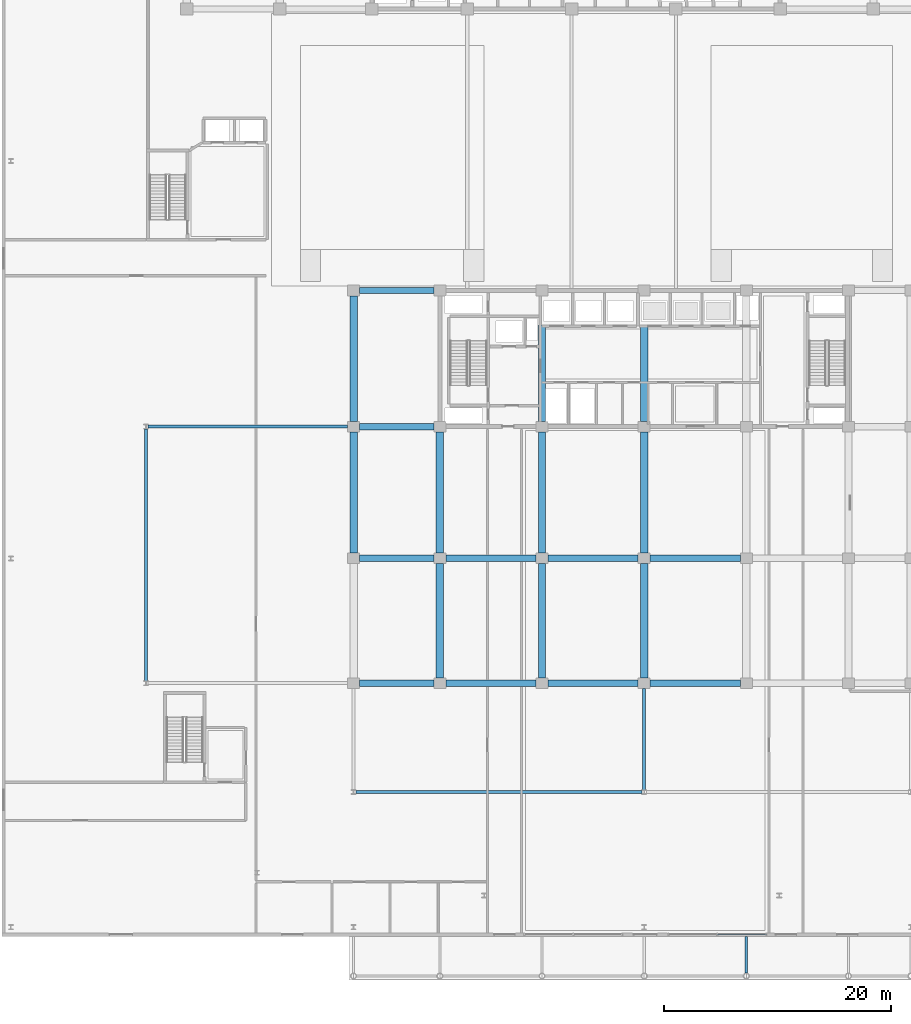
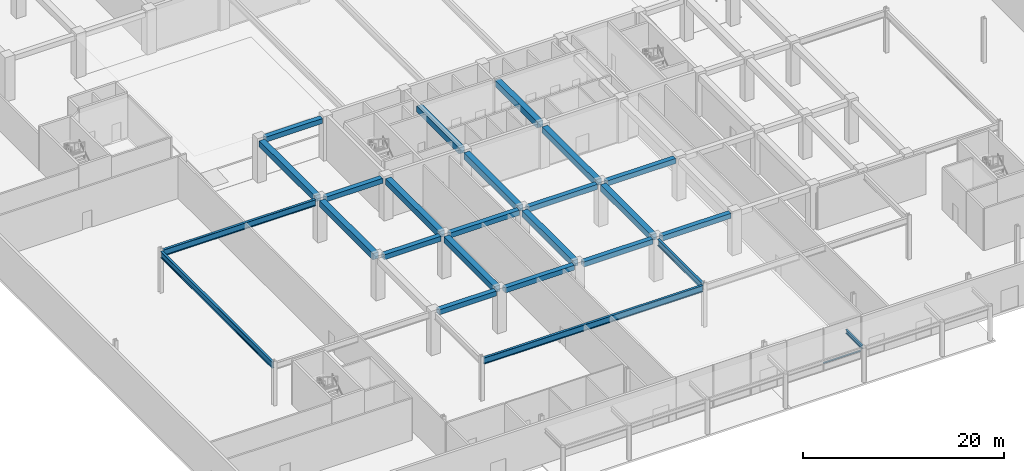
# One storey, part 13 of 46: 25 beams, 1 member, 1 element without a shape of its own.
"""IFC4 building model written with IfcOpenShell, lengths in metres."""

from ifc_helpers import new_model, si_unit, direction, frame, origin, origin_2d, place, context, subcontext, project, spatial, rectangle, hollow_rectangle, i_section, extrude, material, layer, layer_set, material_profile, profile_set, type_object, element, aggregate, save


model = new_model("IFC4")

# Units and contexts
model_context = context("Model", 3, precision=1e-05, world=origin(), true_north=direction((0.0, 1.0)))
body_context = subcontext(model_context, "Body", "Model", "MODEL_VIEW")
ifc_project = project(units=[si_unit("LENGTHUNIT", "METRE"), si_unit("AREAUNIT", "SQUARE_METRE"), si_unit("VOLUMEUNIT", "CUBIC_METRE"), si_unit("PLANEANGLEUNIT", "RADIAN"), si_unit("MASSUNIT", "GRAM", prefix="KILO")], contexts=[model_context])

# Site, building, storey
site_placement = place(None, origin())
site = spatial("IfcSite", under=ifc_project, at=site_placement, CompositionType="ELEMENT")
building_placement = place(site_placement, origin())
building = spatial("IfcBuilding", under=site, at=building_placement, Name="Korimba Cascade Residences", CompositionType="ELEMENT")
storey_placement = place(building_placement, origin())
storey = spatial("IfcBuildingStorey", under=building, at=storey_placement, Name="L00", CompositionType="ELEMENT", Elevation=0.0)

# Beams
ifc_material_1 = material(Name="Concrete C50/60", Category="concrete")
ifc_material_profile_1 = material_profile(ifc_material_1, rectangle(XDim=0.550048828125, YDim=0.60009765625, at=origin_2d()), Name="Concrete C50/60")
ifc_profile_set_1 = profile_set([ifc_material_profile_1], Name="Concrete C50/60")
beam_type_1 = type_object("IfcBeamType", Name="BM-RC-B600", PredefinedType="BEAM", material=ifc_profile_set_1)
beam_1_placement = place(storey_placement, frame((75.02490234375, -4.199951171875, 4.800048828125), z_axis=(1.0, 0.0, 0.0), x_axis=(0.0, 1.0, 0.0)))
element("IfcBeam", 1, at=beam_1_placement, inside=storey, type_object=beam_type_1, Name="L00 T2 E-W Girder Y1 Bay 1", PredefinedType="BEAM", context=body_context, shape_type="SweptSolid", body=[
    extrude(rectangle(XDim=0.550048828125, YDim=0.60009765625, at=origin_2d()), origin(), (0.0, 0.0, 1.0), 6.550048828125),
])
for number, where, z_axis, x_axis, name in (
    (2, (82.625, -4.199951171875, 4.800048828125), (1.0, 0.0, 0.0), (0.0, 1.0, 0.0), "L00 T2 E-W Girder Y1 Bay 2"),
    (3, (91.625, -4.199951171875, 4.800048828125), (1.0, 0.0, 0.0), (0.0, 1.0, 0.0), "L00 T2 E-W Girder Y1 Bay 3"),
    (4, (100.625, -4.199951171875, 4.800048828125), (1.0, 0.0, 0.0), (0.0, 1.0, 0.0), "L00 T2 E-W Girder Y1 Bay 4"),
):
    element("IfcBeam", number, at=place(storey_placement, frame(where, z_axis=z_axis, x_axis=x_axis)), inside=storey, type_object=beam_type_1, Name=name, PredefinedType="BEAM", context=body_context, shape_type="SweptSolid", body=[
        extrude(rectangle(XDim=0.550048828125, YDim=0.60009765625, at=origin_2d()), origin(), (0.0, 0.0, 1.0), 7.949951171875),
    ])
beam_2_placement = place(storey_placement, frame((75.02490234375, 6.800048828125, 4.800048828125), z_axis=(1.0, 0.0, 0.0), x_axis=(0.0, 1.0, 0.0)))
element("IfcBeam", 5, at=beam_2_placement, inside=storey, type_object=beam_type_1, Name="L00 T2 E-W Girder Y2 Bay 1", PredefinedType="BEAM", context=body_context, shape_type="SweptSolid", body=[
    extrude(rectangle(XDim=0.550048828125, YDim=0.60009765625, at=origin_2d()), origin(), (0.0, 0.0, 1.0), 6.550048828125),
])
for number, where, z_axis, x_axis, name in (
    (6, (82.625, 6.800048828125, 4.800048828125), (1.0, 0.0, 0.0), (0.0, 1.0, 0.0), "L00 T2 E-W Girder Y2 Bay 2"),
    (7, (91.625, 6.800048828125, 4.800048828125), (1.0, 0.0, 0.0), (0.0, 1.0, 0.0), "L00 T2 E-W Girder Y2 Bay 3"),
    (8, (100.625, 6.800048828125, 4.800048828125), (1.0, 0.0, 0.0), (0.0, 1.0, 0.0), "L00 T2 E-W Girder Y2 Bay 4"),
):
    element("IfcBeam", number, at=place(storey_placement, frame(where, z_axis=z_axis, x_axis=x_axis)), inside=storey, type_object=beam_type_1, Name=name, PredefinedType="BEAM", context=body_context, shape_type="SweptSolid", body=[
        extrude(rectangle(XDim=0.550048828125, YDim=0.60009765625, at=origin_2d()), origin(), (0.0, 0.0, 1.0), 7.949951171875),
    ])
for number, where, z_axis, x_axis, name in (
    (9, (75.02490234375, 18.39990234375, 4.800048828125), (1.0, 0.0, 0.0), (0.0, 1.0, 0.0), "L00 T2 E-W Girder Y3 Bay 1"),
    (10, (75.02490234375, 30.39990234375, 4.800048828125), (1.0, 0.0, 0.0), (0.0, 1.0, 0.0), "L00 T2 E-W Girder Y4 Bay 1"),
):
    element("IfcBeam", number, at=place(storey_placement, frame(where, z_axis=z_axis, x_axis=x_axis)), inside=storey, type_object=beam_type_1, Name=name, PredefinedType="BEAM", context=body_context, shape_type="SweptSolid", body=[
        extrude(rectangle(XDim=0.550048828125, YDim=0.60009765625, at=origin_2d()), origin(), (0.0, 0.0, 1.0), 6.550048828125),
    ])
ifc_material_profile_2 = material_profile(ifc_material_1, rectangle(XDim=0.64990234375, YDim=0.75, at=origin_2d()), Name="Concrete C50/60")
ifc_profile_set_2 = profile_set([ifc_material_profile_2], Name="Concrete C50/60")
beam_type_2 = type_object("IfcBeamType", Name="BM-RC-G750", PredefinedType="BEAM", material=ifc_profile_set_2)
beam_3_placement = place(storey_placement, frame((74.5, 7.27490234375, 4.72509765625), z_axis=(0.0, 1.0, 0.0), x_axis=(-1.0, 0.0, 0.0)))
element("IfcBeam", 11, at=beam_3_placement, inside=storey, type_object=beam_type_2, Name="L00 T2 N-S Girder X1 Seg 2", PredefinedType="BEAM", context=body_context, shape_type="SweptSolid", body=[
    extrude(rectangle(XDim=0.64990234375, YDim=0.75, at=origin_2d()), origin(), (0.0, 0.0, 1.0), 10.650146484375),
])
beam_4_placement = place(storey_placement, frame((74.5, 18.875, 4.72509765625), z_axis=(0.0, 1.0, 0.0), x_axis=(-1.0, 0.0, 0.0)))
element("IfcBeam", 12, at=beam_4_placement, inside=storey, type_object=beam_type_2, Name="L00 T2 N-S Girder X1 Seg 3", PredefinedType="BEAM", context=body_context, shape_type="SweptSolid", body=[
    extrude(rectangle(XDim=0.64990234375, YDim=0.75, at=origin_2d()), origin(), (0.0, 0.0, 1.0), 11.050048828125),
])
beam_5_placement = place(storey_placement, frame((82.10009765625, -3.72509765625, 4.72509765625), z_axis=(0.0, 1.0, 0.0), x_axis=(-1.0, 0.0, 0.0)))
element("IfcBeam", 13, at=beam_5_placement, inside=storey, type_object=beam_type_2, Name="L00 T2 N-S Girder X2 Seg 1", PredefinedType="BEAM", context=body_context, shape_type="SweptSolid", body=[
    extrude(rectangle(XDim=0.64990234375, YDim=0.75, at=origin_2d()), origin(), (0.0, 0.0, 1.0), 10.050048828125),
])
beam_6_placement = place(storey_placement, frame((82.10009765625, 7.27490234375, 4.72509765625), z_axis=(0.0, 1.0, 0.0), x_axis=(-1.0, 0.0, 0.0)))
element("IfcBeam", 14, at=beam_6_placement, inside=storey, type_object=beam_type_2, Name="L00 T2 N-S Girder X2 Seg 2", PredefinedType="BEAM", context=body_context, shape_type="SweptSolid", body=[
    extrude(rectangle(XDim=0.64990234375, YDim=0.75, at=origin_2d()), origin(), (0.0, 0.0, 1.0), 10.650146484375),
])
beam_7_placement = place(storey_placement, frame((91.10009765625, -3.72509765625, 4.72509765625), z_axis=(0.0, 1.0, 0.0), x_axis=(-1.0, 0.0, 0.0)))
element("IfcBeam", 15, at=beam_7_placement, inside=storey, type_object=beam_type_2, Name="L00 T2 N-S Girder X3 Seg 1", PredefinedType="BEAM", context=body_context, shape_type="SweptSolid", body=[
    extrude(rectangle(XDim=0.64990234375, YDim=0.75, at=origin_2d()), origin(), (0.0, 0.0, 1.0), 10.050048828125),
])
beam_8_placement = place(storey_placement, frame((91.10009765625, 7.27490234375, 4.72509765625), z_axis=(0.0, 1.0, 0.0), x_axis=(-1.0, 0.0, 0.0)))
element("IfcBeam", 16, at=beam_8_placement, inside=storey, type_object=beam_type_2, Name="L00 T2 N-S Girder X3 Seg 2", PredefinedType="BEAM", context=body_context, shape_type="SweptSolid", body=[
    extrude(rectangle(XDim=0.64990234375, YDim=0.75, at=origin_2d()), origin(), (0.0, 0.0, 1.0), 10.650146484375),
])
beam_9_placement = place(storey_placement, frame((91.10009765625, 18.875, 4.72509765625), z_axis=(0.0, 1.0, 0.0), x_axis=(-1.0, 0.0, 0.0)))
element("IfcBeam", 17, at=beam_9_placement, inside=storey, type_object=beam_type_2, Name="L00 T2 N-S Girder X3 Seg 3", PredefinedType="BEAM", context=body_context, shape_type="SweptSolid", body=[
    extrude(rectangle(XDim=0.64990234375, YDim=0.75, at=origin_2d()), origin(), (0.0, 0.0, 1.0), 8.465087890625),
])
beam_10_placement = place(storey_placement, frame((100.10009765625, -3.72509765625, 4.72509765625), z_axis=(0.0, 1.0, 0.0), x_axis=(-1.0, 0.0, 0.0)))
element("IfcBeam", 18, at=beam_10_placement, inside=storey, type_object=beam_type_2, Name="L00 T2 N-S Girder X4 Seg 1", PredefinedType="BEAM", context=body_context, shape_type="SweptSolid", body=[
    extrude(rectangle(XDim=0.64990234375, YDim=0.75, at=origin_2d()), origin(), (0.0, 0.0, 1.0), 10.050048828125),
])
beam_11_placement = place(storey_placement, frame((100.10009765625, 7.27490234375, 4.72509765625), z_axis=(0.0, 1.0, 0.0), x_axis=(-1.0, 0.0, 0.0)))
element("IfcBeam", 19, at=beam_11_placement, inside=storey, type_object=beam_type_2, Name="L00 T2 N-S Girder X4 Seg 2", PredefinedType="BEAM", context=body_context, shape_type="SweptSolid", body=[
    extrude(rectangle(XDim=0.64990234375, YDim=0.75, at=origin_2d()), origin(), (0.0, 0.0, 1.0), 10.650146484375),
])
beam_12_placement = place(storey_placement, frame((100.10009765625, 18.875, 4.72509765625), z_axis=(0.0, 1.0, 0.0), x_axis=(-1.0, 0.0, 0.0)))
element("IfcBeam", 20, at=beam_12_placement, inside=storey, type_object=beam_type_2, Name="L00 T2 N-S Girder X4 Seg 3", PredefinedType="BEAM", context=body_context, shape_type="SweptSolid", body=[
    extrude(rectangle(XDim=0.64990234375, YDim=0.75, at=origin_2d()), origin(), (0.0, 0.0, 1.0), 8.465087890625),
])
ifc_material_2 = material(Name="Steel S355", Category="steel")
ifc_material_profile_3 = material_profile(ifc_material_2, i_section(OverallWidth=0.19140625, OverallDepth=0.4599609375, WebThickness=0.010009765625, FlangeThickness=0.01611328125, FilletRadius=0.01025390625, at=origin_2d()), Name="Steel S355")
ifc_profile_set_3 = profile_set([ifc_material_profile_3], Name="Steel S355")
beam_type_3 = type_object("IfcBeamType", Name="BM-STL-UB457", PredefinedType="JOIST", material=ifc_profile_set_3)
beam_13_placement = place(storey_placement, frame((109.10009765625, -29.739990234375, 3.969970703125), z_axis=(0.0, 1.0, 0.0), x_axis=(-1.0, 0.0, 0.0)))
element("IfcBeam", 21, at=beam_13_placement, inside=storey, type_object=beam_type_3, Name="Canopy Tie Beam 5", PredefinedType="JOIST", context=body_context, shape_type="SweptSolid", body=[
    extrude(i_section(OverallWidth=0.19140625, OverallDepth=0.4599609375, WebThickness=0.010009765625, FlangeThickness=0.01611328125, FilletRadius=0.01025390625, at=origin_2d()), origin(), (0.0, 0.0, 1.0), 3.239990234375),
])
ifc_material_profile_4 = material_profile(ifc_material_2, i_section(OverallWidth=0.26806640625, OverallDepth=0.769775390625, WebThickness=0.015625, FlangeThickness=0.025390625, FilletRadius=0.0166015625, at=origin_2d()), Name="Steel S355")
ifc_profile_set_4 = profile_set([ifc_material_profile_4], Name="Steel S355")
beam_type_4 = type_object("IfcBeamType", Name="BM-STL-UB762", PredefinedType="BEAM", material=ifc_profile_set_4)
beam_14_placement = place(storey_placement, frame((56.3994140625, 18.39990234375, 4.715087890625), z_axis=(1.0, 0.0, 0.0), x_axis=(0.0, 1.0, 0.0)))
element("IfcBeam", 22, at=beam_14_placement, inside=storey, type_object=beam_type_4, Name="L00 Podium Frame Girder W2", PredefinedType="BEAM", context=body_context, shape_type="SweptSolid", body=[
    extrude(i_section(OverallWidth=0.26806640625, OverallDepth=0.769775390625, WebThickness=0.015625, FlangeThickness=0.025390625, FilletRadius=0.0166015625, at=origin_2d()), origin(), (0.0, 0.0, 1.0), 17.57568359375),
])
beam_15_placement = place(storey_placement, frame((56.199951171875, -4.003173828125, 4.715087890625), z_axis=(0.0, 1.0, 0.0), x_axis=(-1.0, 0.0, 0.0)))
element("IfcBeam", 23, at=beam_15_placement, inside=storey, type_object=beam_type_4, Name="L00 Podium Frame Girder WN", PredefinedType="BEAM", context=body_context, shape_type="SweptSolid", body=[
    extrude(i_section(OverallWidth=0.26806640625, OverallDepth=0.769775390625, WebThickness=0.015625, FlangeThickness=0.025390625, FilletRadius=0.0166015625, at=origin_2d()), origin(), (0.0, 0.0, 1.0), 22.206298828125),
])
beam_16_placement = place(storey_placement, frame((100.10009765625, -13.603271484375, 4.715087890625), z_axis=(0.0, 1.0, 0.0), x_axis=(-1.0, 0.0, 0.0)))
element("IfcBeam", 24, at=beam_16_placement, inside=storey, type_object=beam_type_4, Name="L00 Podium Frame Girder S2", PredefinedType="BEAM", context=body_context, shape_type="SweptSolid", body=[
    extrude(i_section(OverallWidth=0.26806640625, OverallDepth=0.769775390625, WebThickness=0.015625, FlangeThickness=0.025390625, FilletRadius=0.0166015625, at=origin_2d()), origin(), (0.0, 0.0, 1.0), 8.92822265625),
])
beam_17_placement = place(storey_placement, frame((74.699462890625, -13.800048828125, 4.715087890625), z_axis=(1.0, 0.0, 0.0), x_axis=(0.0, 1.0, 0.0)))
element("IfcBeam", 25, at=beam_17_placement, inside=storey, type_object=beam_type_4, Name="L00 Podium Frame Girder SH1", PredefinedType="BEAM", context=body_context, shape_type="SweptSolid", body=[
    extrude(i_section(OverallWidth=0.26806640625, OverallDepth=0.769775390625, WebThickness=0.015625, FlangeThickness=0.025390625, FilletRadius=0.0166015625, at=origin_2d()), origin(), (0.0, 0.0, 1.0), 25.200927734375),
])

# Curtain wall, member
ifc_material_3 = material(Name="Anodised Aluminium Curtain Wall Framing", Category="aluminium")
ifc_layer = layer(ifc_material_3, 0.179931640625)
ifc_layer_set = layer_set([ifc_layer], Name="Anodised Aluminium Curtain Wall Framing")
curtain_wall_type = type_object("IfcCurtainWallType", Name="CW-POD-SYS1", PredefinedType="NOTDEFINED", material=ifc_layer_set)
curtain_wall_placement = place(storey_placement, origin())
curtain_wall = element("IfcCurtainWall", 26, at=curtain_wall_placement, inside=storey, type_object=curtain_wall_type, Name="L00 Curtain Wall CW-L00-POD-S2", PredefinedType="NOTDEFINED")
ifc_material_4 = material(Name="Anodised Aluminium Transom", Category="aluminium")
ifc_material_profile_5 = material_profile(ifc_material_4, hollow_rectangle(XDim=0.070068359375, YDim=0.179931640625, WallThickness=0.0048828125, InnerFilletRadius=0.0048828125, OuterFilletRadius=0.010009765625, at=origin_2d()), Name="Anodised Aluminium Transom")
ifc_profile_set_5 = profile_set([ifc_material_profile_5], Name="Anodised Aluminium Transom")
member_type = type_object("IfcMemberType", Name="CWM-TRN-150", PredefinedType="USERDEFINED", material=ifc_profile_set_5)
member_placement = place(storey_placement, frame((106.550048828125, -26.35009765625, 0.89990234375), z_axis=(1.0, 0.0, 0.0), x_axis=(0.0, 1.0, 0.0)))
member = element("IfcMember", 27, at=member_placement, type_object=member_type, Name="CW-L00-POD-S2 Transom 2", ObjectType="TRANSOM", PredefinedType="USERDEFINED", context=body_context, shape_type="SweptSolid", body=[
    extrude(hollow_rectangle(XDim=0.070068359375, YDim=0.179931640625, WallThickness=0.0048828125, InnerFilletRadius=0.0048828125, OuterFilletRadius=0.010009765625, at=origin_2d()), origin(), (0.0, 0.0, 1.0), 4.31005859375),
])
aggregate(curtain_wall, [member])

save(model, "model.ifc")
